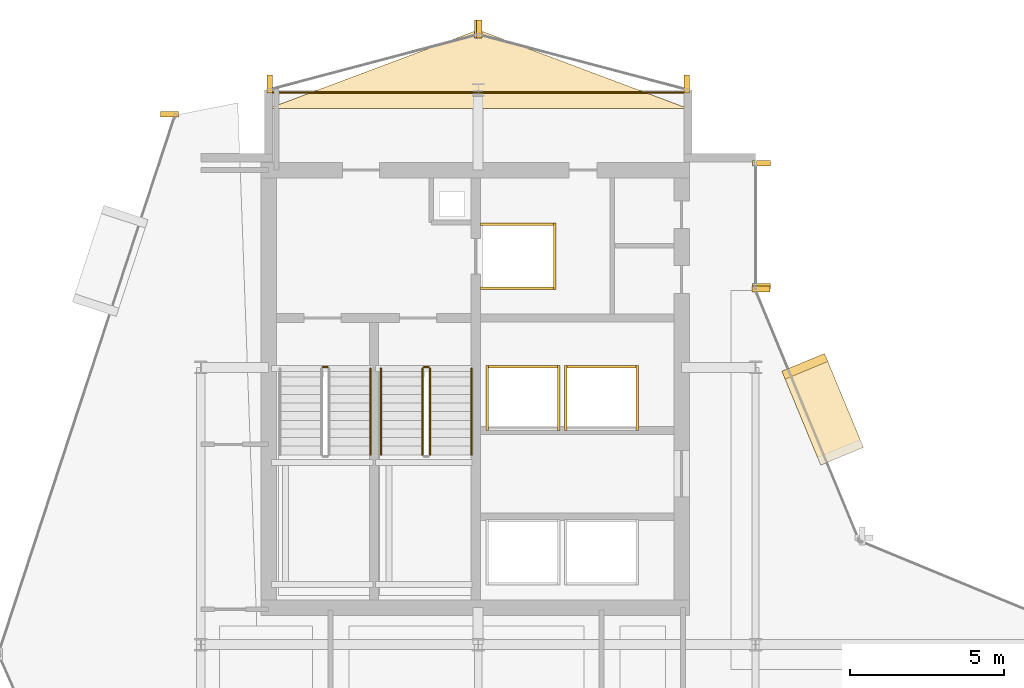
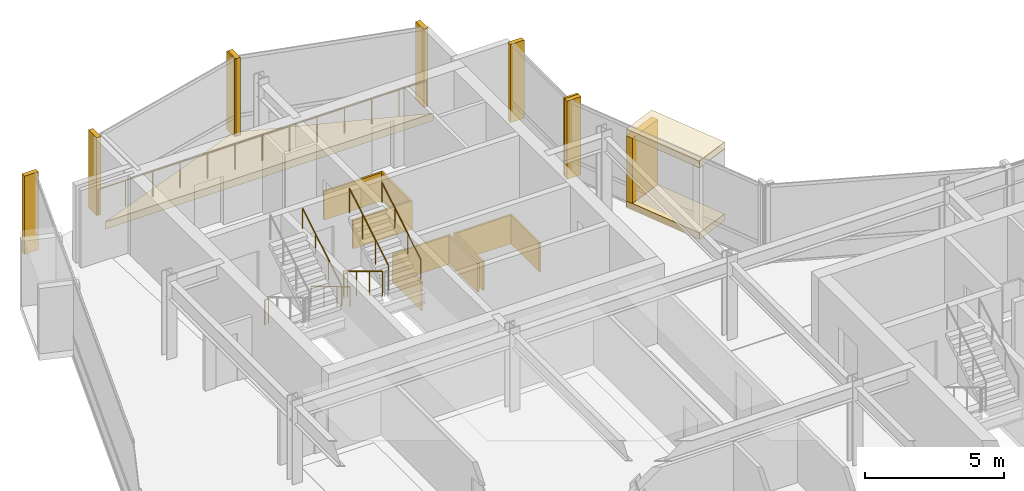
# One storey, part 27 of 27: 21 coverings, 8 railings.
"""IFC4 building model written with IfcOpenShell, lengths in metres."""

from ifc_helpers import new_model, si_unit, direction, frame, origin, origin_2d, place, context, subcontext, project, spatial, polyline, rectangle, circle, outline, extrude, material, layer, layer_set, type_object, element, save


model = new_model("IFC4")

# Units and contexts
model_context = context("Model", 3, precision=1e-05, world=origin(), true_north=direction((0.0, 1.0)))
body_context = subcontext(model_context, "Body", "Model", "MODEL_VIEW")
ifc_project = project(units=[si_unit("LENGTHUNIT", "METRE"), si_unit("AREAUNIT", "SQUARE_METRE"), si_unit("VOLUMEUNIT", "CUBIC_METRE"), si_unit("PLANEANGLEUNIT", "RADIAN"), si_unit("MASSUNIT", "GRAM", prefix="KILO")], contexts=[model_context])

# Site, building, storey
site_placement = place(None, origin())
site = spatial("IfcSite", under=ifc_project, at=site_placement, CompositionType="ELEMENT")
building_placement = place(site_placement, origin())
building = spatial("IfcBuilding", under=site, at=building_placement, Name="Solvaryn Broadcast Tower", CompositionType="ELEMENT")
storey_placement = place(building_placement, frame((0.0, 0.0, 189.0)))
storey = spatial("IfcBuildingStorey", under=building, at=storey_placement, Name="L47", CompositionType="ELEMENT", Elevation=189.0)

# Coverings
ifc_material_1 = material(Name="Fire-Rated Gypsum Shaftwall Liner", Category="concrete")
ifc_layer_1 = layer(ifc_material_1, 0.080078125)
ifc_layer_set_1 = layer_set([ifc_layer_1], Name="CV-SHAFT-LINER")
covering_type_1 = type_object("IfcCoveringType", Name="CV-SHAFT-LINER", PredefinedType="CLADDING", material=ifc_layer_set_1)
for number, where, z_axis, x_axis, name in (
    (1, (19.300048828125, 40.639892578125, 0.0), (0.0, 0.0, 1.0), (1.0, 0.0, 0.0), "L47 FL1 Hoistway Shaft Liner North"),
    (2, (19.300048828125, 38.56005859375, 0.0), (0.0, 0.0, 1.0), (1.0, 0.0, 0.0), "L47 FL1 Hoistway Shaft Liner South"),
):
    element("IfcCovering", number, at=place(storey_placement, frame(where, z_axis=z_axis, x_axis=x_axis)), inside=storey, type_object=covering_type_1, Name=name, PredefinedType="CLADDING", context=body_context, shape_type="SweptSolid", body=[
        extrude(rectangle(XDim=2.4599609375, YDim=0.080078125, at=origin_2d()), origin(), (0.0, 0.0, 1.0), 1.25),
    ])
covering_1_placement = place(storey_placement, frame((20.489990234375, 39.60009765625, 0.0), z_axis=(0.0, 0.0, 1.0), x_axis=(1.0, 0.0, 0.0)))
element("IfcCovering", 3, at=covering_1_placement, inside=storey, type_object=covering_type_1, Name="L47 FL1 Hoistway Shaft Liner East", PredefinedType="CLADDING", context=body_context, shape_type="SweptSolid", body=[
    extrude(rectangle(XDim=0.080078125, YDim=2.159912109375, at=origin_2d()), origin(), (0.0, 0.0, 1.0), 1.25),
])
covering_2_placement = place(storey_placement, frame((19.449951171875, 36.014892578125, 0.0), z_axis=(0.0, 0.0, 1.0), x_axis=(1.0, 0.0, 0.0)))
element("IfcCovering", 4, at=covering_2_placement, inside=storey, type_object=covering_type_1, Name="L47 PH3 Hoistway Shaft Liner North", PredefinedType="CLADDING", context=body_context, shape_type="SweptSolid", body=[
    extrude(rectangle(XDim=2.409912109375, YDim=0.080078125, at=origin_2d()), origin(), (0.0, 0.0, 1.0), 1.25),
])
for number, where, z_axis, x_axis, name in (
    (5, (20.614990234375, 35.0, 0.0), (0.0, 0.0, 1.0), (1.0, 0.0, 0.0), "L47 PH3 Hoistway Shaft Liner East"),
    (6, (18.284912109375, 35.0, 0.0), (0.0, 0.0, 1.0), (1.0, 0.0, 0.0), "L47 PH3 Hoistway Shaft Liner West"),
):
    element("IfcCovering", number, at=place(storey_placement, frame(where, z_axis=z_axis, x_axis=x_axis)), inside=storey, type_object=covering_type_1, Name=name, PredefinedType="CLADDING", context=body_context, shape_type="SweptSolid", body=[
        extrude(rectangle(XDim=0.080078125, YDim=2.110107421875, at=origin_2d()), origin(), (0.0, 0.0, 1.0), 1.25),
    ])
covering_3_placement = place(storey_placement, frame((22.0, 36.014892578125, 0.0), z_axis=(0.0, 0.0, 1.0), x_axis=(1.0, 0.0, 0.0)))
element("IfcCovering", 7, at=covering_3_placement, inside=storey, type_object=covering_type_1, Name="L47 PH4 Hoistway Shaft Liner North", PredefinedType="CLADDING", context=body_context, shape_type="SweptSolid", body=[
    extrude(rectangle(XDim=2.409912109375, YDim=0.080078125, at=origin_2d()), origin(), (0.0, 0.0, 1.0), 1.25),
])
for number, where, z_axis, x_axis, name in (
    (8, (23.1650390625, 35.0, 0.0), (0.0, 0.0, 1.0), (1.0, 0.0, 0.0), "L47 PH4 Hoistway Shaft Liner East"),
    (9, (20.8349609375, 35.0, 0.0), (0.0, 0.0, 1.0), (1.0, 0.0, 0.0), "L47 PH4 Hoistway Shaft Liner West"),
):
    element("IfcCovering", number, at=place(storey_placement, frame(where, z_axis=z_axis, x_axis=x_axis)), inside=storey, type_object=covering_type_1, Name=name, PredefinedType="CLADDING", context=body_context, shape_type="SweptSolid", body=[
        extrude(rectangle(XDim=0.080078125, YDim=2.110107421875, at=origin_2d()), origin(), (0.0, 0.0, 1.0), 1.25),
    ])
ifc_material_2 = material(Name="Glazed Architectural Terracotta Rainscreen Cladding", Category="masonry")
ifc_layer_2 = layer(ifc_material_2, 0.280029296875)
ifc_layer_set_2 = layer_set([ifc_layer_2], Name="CV-TC-CLAD")
covering_type_2 = type_object("IfcCoveringType", Name="CV-TC-CLAD", PredefinedType="CLADDING", material=ifc_layer_set_2)
for number, where, z_axis, x_axis, name in (
    (10, (29.174072265625, 34.636962890625, 3.1298828125), (0.0, 0.0, 1.0), (-0.382683432365, 0.923879532511, 0.0), "L47 Projecting Stone Window Box Hood 5"),
    (11, (29.174072265625, 34.636962890625, -0.01025390625), (0.0, 0.0, 1.0), (-0.382683432365, 0.923879532511, 0.0), "L47 Projecting Stone Window Box Sill 5"),
):
    element("IfcCovering", number, at=place(storey_placement, frame(where, z_axis=z_axis, x_axis=x_axis)), inside=storey, type_object=covering_type_2, Name=name, PredefinedType="CLADDING", context=body_context, shape_type="SweptSolid", body=[
        extrude(rectangle(XDim=3.300048828125, YDim=1.5, at=origin_2d()), origin(), (0.0, 0.0, 1.0), 0.300048828125),
    ])
covering_4_placement = place(storey_placement, frame((28.59619140625, 36.031982421875, 0.27978515625), z_axis=(0.0, 0.0, 1.0), x_axis=(-0.382683432365, 0.923879532511, 0.0)))
element("IfcCovering", 12, at=covering_4_placement, inside=storey, type_object=covering_type_2, Name="L47 Projecting Stone Window Box Cheek 5-2", PredefinedType="CLADDING", context=body_context, shape_type="SweptSolid", body=[
    extrude(rectangle(XDim=0.280029296875, YDim=1.5, at=origin_2d()), origin(), (0.0, 0.0, 1.0), 2.860107421875),
])
ifc_material_3 = material(Name="Extruded Architectural Terracotta Fin", Category="masonry")
ifc_layer_3 = layer(ifc_material_3, 0.179931640625)
ifc_layer_set_3 = layer_set([ifc_layer_3], Name="CV-TC-FIN")
covering_type_3 = type_object("IfcCoveringType", Name="CV-TC-FIN", PredefinedType="USERDEFINED", material=ifc_layer_set_3)
for number, where, z_axis, x_axis, name in (
    (13, (7.982666015625, 44.209716796875, 0.0), (0.0, 0.0, 1.0), (1.0, 0.0, 0.0), "L47 Terracotta Vertical Fin FIN-L47-DR1-M00"),
    (14, (27.1875, 42.6201171875, 0.0), (0.0, 0.0, 1.0), (1.0, 0.0, 0.0), "L47 Terracotta Vertical Fin FIN-L47-IV-M00"),
    (15, (27.1875, 38.6298828125, 0.0), (0.0, 0.0, 1.0), (1.0, 0.0, 0.0), "L47 Terracotta Vertical Fin FIN-L47-IV-M01"),
    (16, (27.177978515625, 38.541259765625, 0.0), (0.0, 0.0, 1.0), (1.0, 0.0, 0.0), "L47 Terracotta Vertical Fin FIN-L47-CN2-M01"),
):
    element("IfcCovering", number, at=place(storey_placement, frame(where, z_axis=z_axis, x_axis=x_axis)), inside=storey, type_object=covering_type_3, Name=name, ObjectType="FIN", PredefinedType="USERDEFINED", context=body_context, shape_type="SweptSolid", body=[
        extrude(rectangle(XDim=0.580078125, YDim=0.179931640625, at=origin_2d()), origin(), (0.0, 0.0, 1.0), 3.419921875),
    ])
for number, where, z_axis, x_axis, name in (
    (17, (24.77099609375, 45.1953125, 0.0), (0.0, 0.0, 1.0), (1.0, 0.0, 0.0), "L47 Terracotta Vertical Fin FIN-L47-NT1-M00"),
    (18, (18.029052734375, 46.979736328125, 0.0), (0.0, 0.0, 1.0), (1.0, 0.0, 0.0), "L47 Terracotta Vertical Fin FIN-L47-NT1-M01"),
    (19, (17.970947265625, 46.979736328125, 0.0), (0.0, 0.0, 1.0), (1.0, 0.0, 0.0), "L47 Terracotta Vertical Fin FIN-L47-NT2-M00"),
    (20, (11.22900390625, 45.1953125, 0.0), (0.0, 0.0, 1.0), (1.0, 0.0, 0.0), "L47 Terracotta Vertical Fin FIN-L47-NT2-M01"),
):
    element("IfcCovering", number, at=place(storey_placement, frame(where, z_axis=z_axis, x_axis=x_axis)), inside=storey, type_object=covering_type_3, Name=name, ObjectType="FIN", PredefinedType="USERDEFINED", context=body_context, shape_type="SweptSolid", body=[
        extrude(rectangle(XDim=0.179931640625, YDim=0.580078125, at=origin_2d()), origin(), (0.0, 0.0, 1.0), 3.419921875),
    ])
ifc_material_4 = material(Name="Sculpted Architectural Terracotta Wave Fascia", Category="masonry")
ifc_layer_4 = layer(ifc_material_4, 0.340087890625)
ifc_layer_set_4 = layer_set([ifc_layer_4], Name="CV-WAVE-TRAY")
covering_type_4 = type_object("IfcCoveringType", Name="CV-WAVE-TRAY", PredefinedType="CLADDING", material=ifc_layer_set_4)
covering_5_placement = place(storey_placement, frame((0.0, 0.0, -0.300048828125)))
element("IfcCovering", 21, at=covering_5_placement, inside=storey, type_object=covering_type_4, Name="L47 North Curved Wing Deck", PredefinedType="CLADDING", context=body_context, shape_type="SweptSolid", body=[
    extrude(outline(polyline([(11.199951171875, 44.39990234375), (24.800048828125, 44.39990234375), (18.0, 46.949951171875), (11.199951171875, 44.39990234375)])), origin(), (0.0, 0.0, 1.0), 0.330078125),
])

# Railings
ifc_material_5 = material(Name="Painted Steel Stair Well Guard", Category="steel")
railing_type_1 = type_object("IfcRailingType", Name="RL-STAIR-GUARD", PredefinedType="BALUSTRADE", material=ifc_material_5)
railing_1_placement = place(storey_placement, frame((12.9599609375, 36.010009765625, 0.0)))
element("IfcRailing", 22, at=railing_1_placement, inside=storey, type_object=railing_type_1, Name="L47 ST1 stair guard 4", PredefinedType="BALUSTRADE", context=body_context, shape_type="SweptSolid", body=[
    extrude(circle(Radius=0.02392578125, at=origin_2d()), frame((0.0, 0.0, 1.076171875), z_axis=(1.0, 0.0, 0.0), x_axis=(0.0, 1.0, 0.0)), (0.0, 0.0, 1.0), 0.150146484375),
    extrude(circle(Radius=0.02099609375, at=origin_2d()), origin(), (0.0, 0.0, 1.0), 1.052001953125),
    extrude(circle(Radius=0.02099609375, at=origin_2d()), frame((0.150146484375, 0.0, 0.0)), (0.0, 0.0, 1.0), 1.052001953125),
])
railing_2_placement = place(storey_placement, frame((16.18994140625, 35.9599609375, 0.168212890625)))
element("IfcRailing", 23, at=railing_2_placement, inside=storey, type_object=railing_type_1, Name="L47 ST2 stair guard 1", PredefinedType="BALUSTRADE", context=body_context, shape_type="SweptSolid", body=[
    extrude(circle(Radius=0.02392578125, at=origin_2d()), frame((0.0, 0.0, 1.076171875), z_axis=(0.0, -0.857242210791, 0.514913383045), x_axis=(1.0, 0.0, 0.0)), (0.0, 0.0, 1.0), 3.266357421875),
    extrude(circle(Radius=0.02099609375, at=origin_2d()), origin(), (0.0, 0.0, 1.0), 1.052001953125),
    extrude(circle(Radius=0.02099609375, at=origin_2d()), frame((0.0, -0.933349609375, 0.560546875)), (0.0, 0.0, 1.0), 1.052001953125),
    extrude(circle(Radius=0.02099609375, at=origin_2d()), frame((0.0, -1.86669921875, 1.121337890625)), (0.0, 0.0, 1.0), 1.052001953125),
    extrude(circle(Radius=0.02099609375, at=origin_2d()), frame((0.0, -2.800048828125, 1.681884765625)), (0.0, 0.0, 1.0), 1.052001953125),
])
railing_3_placement = place(storey_placement, frame((16.43994140625, 33.159912109375, 2.01806640625)))
element("IfcRailing", 24, at=railing_3_placement, inside=storey, type_object=railing_type_1, Name="L47 ST2 stair guard 3", PredefinedType="BALUSTRADE", context=body_context, shape_type="SweptSolid", body=[
    extrude(circle(Radius=0.02392578125, at=origin_2d()), frame((0.0, 0.0, 1.076171875), z_axis=(0.0, 0.857242210791, 0.514913383045), x_axis=(-1.0, 0.0, 0.0)), (0.0, 0.0, 1.0), 3.266357421875),
    extrude(circle(Radius=0.02099609375, at=origin_2d()), origin(), (0.0, 0.0, 1.0), 1.052001953125),
    extrude(circle(Radius=0.02099609375, at=origin_2d()), frame((0.0, 0.933349609375, 0.560546875)), (0.0, 0.0, 1.0), 1.052001953125),
    extrude(circle(Radius=0.02099609375, at=origin_2d()), frame((0.0, 1.86669921875, 1.121337890625)), (0.0, 0.0, 1.0), 1.052001953125),
    extrude(circle(Radius=0.02099609375, at=origin_2d()), frame((0.0, 2.800048828125, 1.681884765625)), (0.0, 0.0, 1.0), 1.052001953125),
])
railing_4_placement = place(storey_placement, frame((16.239990234375, 36.010009765625, 0.0)))
element("IfcRailing", 25, at=railing_4_placement, inside=storey, type_object=railing_type_1, Name="L47 ST2 stair guard 4", PredefinedType="BALUSTRADE", context=body_context, shape_type="SweptSolid", body=[
    extrude(circle(Radius=0.02392578125, at=origin_2d()), frame((0.0, 0.0, 1.076171875), z_axis=(1.0, 0.0, 0.0), x_axis=(0.0, 1.0, 0.0)), (0.0, 0.0, 1.0), 0.14990234375),
    extrude(circle(Radius=0.02099609375, at=origin_2d()), origin(), (0.0, 0.0, 1.0), 1.052001953125),
    extrude(circle(Radius=0.02099609375, at=origin_2d()), frame((0.14990234375, 0.0, 0.0)), (0.0, 0.0, 1.0), 1.052001953125),
])
ifc_material_6 = material(Name="Brushed Stainless Steel Tubular Handrail", Category="steel")
railing_type_2 = type_object("IfcRailingType", Name="RL-STAIR-HANDRAIL", PredefinedType="HANDRAIL", material=ifc_material_6)
railing_5_placement = place(storey_placement, frame((14.5, 33.159912109375, 2.01806640625)))
element("IfcRailing", 26, at=railing_5_placement, inside=storey, type_object=railing_type_2, Name="L47 ST1 stair handrail 2", PredefinedType="HANDRAIL", context=body_context, shape_type="SweptSolid", body=[
    extrude(circle(Radius=0.02392578125, at=origin_2d()), frame((0.0, 0.0, 0.8759765625), z_axis=(0.0, 0.857242210791, 0.514913383045), x_axis=(-1.0, 0.0, 0.0)), (0.0, 0.0, 1.0), 3.266357421875),
    extrude(circle(Radius=0.02099609375, at=origin_2d()), origin(), (0.0, 0.0, 1.0), 0.851806640625),
    extrude(circle(Radius=0.02099609375, at=origin_2d()), frame((0.0, 0.933349609375, 0.560546875)), (0.0, 0.0, 1.0), 0.851806640625),
    extrude(circle(Radius=0.02099609375, at=origin_2d()), frame((0.0, 1.86669921875, 1.121337890625)), (0.0, 0.0, 1.0), 0.851806640625),
    extrude(circle(Radius=0.02099609375, at=origin_2d()), frame((0.0, 2.800048828125, 1.681884765625)), (0.0, 0.0, 1.0), 0.851806640625),
])
railing_6_placement = place(storey_placement, frame((14.85009765625, 35.9599609375, 0.168212890625)))
element("IfcRailing", 27, at=railing_6_placement, inside=storey, type_object=railing_type_2, Name="L47 ST2 stair handrail 1", PredefinedType="HANDRAIL", context=body_context, shape_type="SweptSolid", body=[
    extrude(circle(Radius=0.02392578125, at=origin_2d()), frame((0.0, 0.0, 0.8759765625), z_axis=(0.0, -0.857242210791, 0.514913383045), x_axis=(1.0, 0.0, 0.0)), (0.0, 0.0, 1.0), 3.266357421875),
    extrude(circle(Radius=0.02099609375, at=origin_2d()), origin(), (0.0, 0.0, 1.0), 0.851806640625),
    extrude(circle(Radius=0.02099609375, at=origin_2d()), frame((0.0, -0.933349609375, 0.560546875)), (0.0, 0.0, 1.0), 0.851806640625),
    extrude(circle(Radius=0.02099609375, at=origin_2d()), frame((0.0, -1.86669921875, 1.121337890625)), (0.0, 0.0, 1.0), 0.851806640625),
    extrude(circle(Radius=0.02099609375, at=origin_2d()), frame((0.0, -2.800048828125, 1.681884765625)), (0.0, 0.0, 1.0), 0.851806640625),
])
railing_7_placement = place(storey_placement, frame((17.780029296875, 33.159912109375, 2.01806640625)))
element("IfcRailing", 28, at=railing_7_placement, inside=storey, type_object=railing_type_2, Name="L47 ST2 stair handrail 2", PredefinedType="HANDRAIL", context=body_context, shape_type="SweptSolid", body=[
    extrude(circle(Radius=0.02392578125, at=origin_2d()), frame((0.0, 0.0, 0.8759765625), z_axis=(0.0, 0.857242210791, 0.514913383045), x_axis=(-1.0, 0.0, 0.0)), (0.0, 0.0, 1.0), 3.266357421875),
    extrude(circle(Radius=0.02099609375, at=origin_2d()), origin(), (0.0, 0.0, 1.0), 0.851806640625),
    extrude(circle(Radius=0.02099609375, at=origin_2d()), frame((0.0, 0.933349609375, 0.560546875)), (0.0, 0.0, 1.0), 0.851806640625),
    extrude(circle(Radius=0.02099609375, at=origin_2d()), frame((0.0, 1.86669921875, 1.121337890625)), (0.0, 0.0, 1.0), 0.851806640625),
    extrude(circle(Radius=0.02099609375, at=origin_2d()), frame((0.0, 2.800048828125, 1.681884765625)), (0.0, 0.0, 1.0), 0.851806640625),
])
ifc_material_7 = material(Name="Stainless Steel and Laminated Glass Guard", Category="steel")
railing_type_3 = type_object("IfcRailingType", Name="RL-TER-1150", PredefinedType="BALUSTRADE", material=ifc_material_7)
railing_8_placement = place(storey_placement, frame((11.199951171875, 44.919921875, 0.0)))
element("IfcRailing", 29, at=railing_8_placement, inside=storey, type_object=railing_type_3, Name="L47 North Wing Spandrel Edge Guard", PredefinedType="BALUSTRADE", context=body_context, shape_type="SweptSolid", body=[
    extrude(circle(Radius=0.02392578125, at=origin_2d()), frame((0.0, 0.0, 1.1259765625), z_axis=(1.0, 0.0, 0.0), x_axis=(0.0, 1.0, 0.0)), (0.0, 0.0, 1.0), 13.60009765625),
    extrude(circle(Radius=0.02099609375, at=origin_2d()), origin(), (0.0, 0.0, 1.0), 1.101806640625),
    extrude(circle(Radius=0.02099609375, at=origin_2d()), frame((1.13330078125, 0.0, 0.0)), (0.0, 0.0, 1.0), 1.101806640625),
    extrude(circle(Radius=0.02099609375, at=origin_2d()), frame((2.2666015625, 0.0, 0.0)), (0.0, 0.0, 1.0), 1.101806640625),
    extrude(circle(Radius=0.02099609375, at=origin_2d()), frame((3.39990234375, 0.0, 0.0)), (0.0, 0.0, 1.0), 1.101806640625),
    extrude(circle(Radius=0.02099609375, at=origin_2d()), frame((4.533447265625, 0.0, 0.0)), (0.0, 0.0, 1.0), 1.101806640625),
    extrude(circle(Radius=0.02099609375, at=origin_2d()), frame((5.666748046875, 0.0, 0.0)), (0.0, 0.0, 1.0), 1.101806640625),
    extrude(circle(Radius=0.02099609375, at=origin_2d()), frame((6.800048828125, 0.0, 0.0)), (0.0, 0.0, 1.0), 1.101806640625),
    extrude(circle(Radius=0.02099609375, at=origin_2d()), frame((7.933349609375, 0.0, 0.0)), (0.0, 0.0, 1.0), 1.101806640625),
    extrude(circle(Radius=0.02099609375, at=origin_2d()), frame((9.066650390625, 0.0, 0.0)), (0.0, 0.0, 1.0), 1.101806640625),
    extrude(circle(Radius=0.02099609375, at=origin_2d()), frame((10.2001953125, 0.0, 0.0)), (0.0, 0.0, 1.0), 1.101806640625),
    extrude(circle(Radius=0.02099609375, at=origin_2d()), frame((11.33349609375, 0.0, 0.0)), (0.0, 0.0, 1.0), 1.101806640625),
    extrude(circle(Radius=0.02099609375, at=origin_2d()), frame((12.466796875, 0.0, 0.0)), (0.0, 0.0, 1.0), 1.101806640625),
    extrude(circle(Radius=0.02099609375, at=origin_2d()), frame((13.60009765625, 0.0, 0.0)), (0.0, 0.0, 1.0), 1.101806640625),
])

save(model, "model.ifc")
